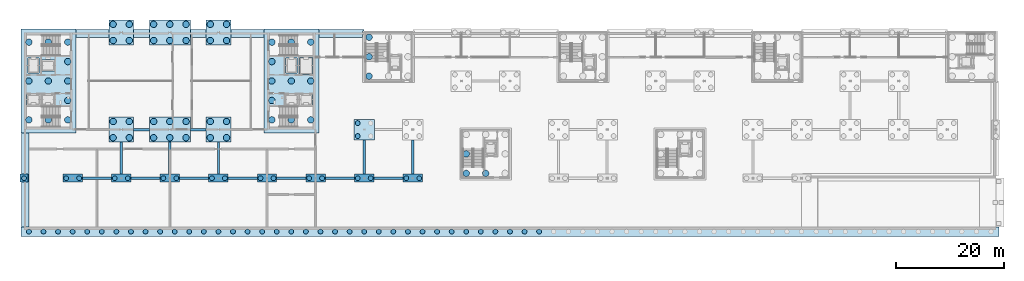
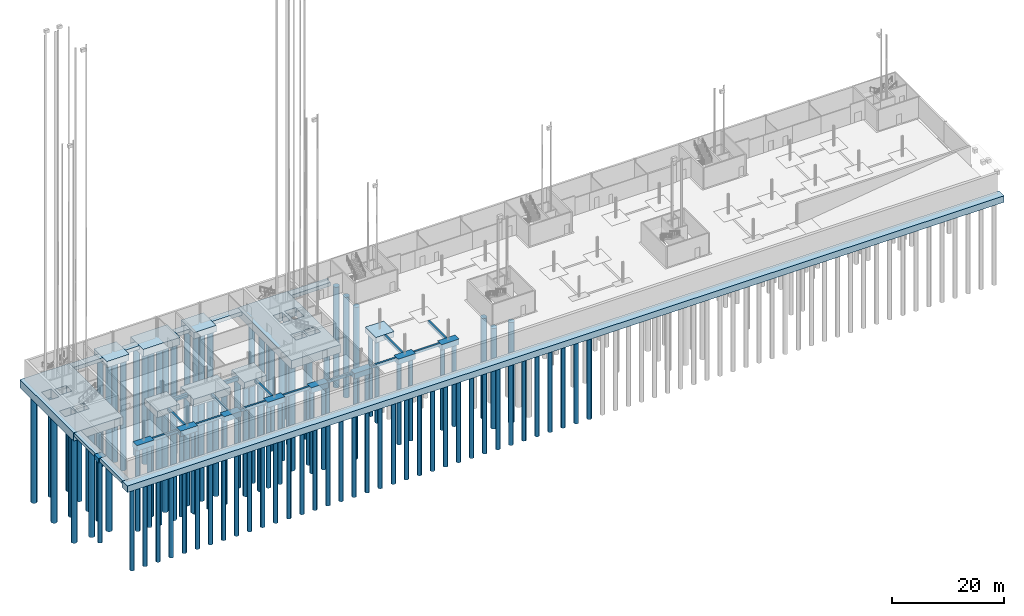
# One storey, part 1 of 41: 111 piles, 40 footings.
"""IFC4 building model written with IfcOpenShell, lengths in metres."""

from ifc_helpers import new_model, si_unit, direction, frame, origin, origin_2d, place, context, subcontext, project, spatial, polyline, rectangle, circle, outline, extrude, material, material_profile, profile_set, type_object, element, save


model = new_model("IFC4")

# Units and contexts
model_context = context("Model", 3, precision=1e-05, world=origin(), true_north=direction((0.0, 1.0)))
body_context = subcontext(model_context, "Body", "Model", "MODEL_VIEW")
ifc_project = project(units=[si_unit("LENGTHUNIT", "METRE"), si_unit("AREAUNIT", "SQUARE_METRE"), si_unit("VOLUMEUNIT", "CUBIC_METRE"), si_unit("PLANEANGLEUNIT", "RADIAN"), si_unit("MASSUNIT", "GRAM", prefix="KILO")], contexts=[model_context])

# Site, building, storey
site_placement = place(None, origin())
site = spatial("IfcSite", under=ifc_project, at=site_placement, CompositionType="ELEMENT")
building_placement = place(site_placement, origin())
building = spatial("IfcBuilding", under=site, at=building_placement, Name="Corbel Yard City Hall", CompositionType="ELEMENT")
storey_placement = place(building_placement, frame((0.0, 0.0, -4.5)))
storey = spatial("IfcBuildingStorey", under=building, at=storey_placement, Name="B1", CompositionType="ELEMENT", Elevation=-4.5)

# Piles
ifc_material = material(Name="Concrete N40 (40 MPa)", Category="concrete")
ifc_material_profile_1 = material_profile(ifc_material, circle(Radius=0.60009765625, at=origin_2d()), Name="D1200")
ifc_profile_set_1 = profile_set([ifc_material_profile_1], Name="Concrete N40 (40 MPa)")
pile_type_1 = type_object("IfcPileType", Name="Bored pile D1200", PredefinedType="BORED", material=ifc_profile_set_1)
for number, where, z_axis, x_axis, name in (
    (1, (16.5, 97.5, -1.300048828125), (0.0, 0.0, -1.0), (1.0, 0.0, 0.0), "Bored pile D1200 under cap PC7 L/3"),
    (2, (16.5, 100.5, -1.300048828125), (0.0, 0.0, -1.0), (1.0, 0.0, 0.0), "Bored pile D1200 under cap PC7 L/3"),
    (3, (19.5, 97.5, -1.300048828125), (0.0, 0.0, -1.0), (1.0, 0.0, 0.0), "Bored pile D1200 under cap PC7 L/3"),
    (4, (19.5, 100.5, -1.300048828125), (0.0, 0.0, -1.0), (1.0, 0.0, 0.0), "Bored pile D1200 under cap PC7 L/3"),
    (5, (16.5, 115.5, -1.300048828125), (0.0, 0.0, -1.0), (1.0, 0.0, 0.0), "Bored pile D1200 under cap PC7 N/3"),
    (6, (16.5, 118.5, -1.300048828125), (0.0, 0.0, -1.0), (1.0, 0.0, 0.0), "Bored pile D1200 under cap PC7 N/3"),
    (7, (19.5, 115.5, -1.300048828125), (0.0, 0.0, -1.0), (1.0, 0.0, 0.0), "Bored pile D1200 under cap PC7 N/3"),
    (8, (19.5, 118.5, -1.300048828125), (0.0, 0.0, -1.0), (1.0, 0.0, 0.0), "Bored pile D1200 under cap PC7 N/3"),
    (9, (24.0, 97.5, -1.5), (0.0, 0.0, -1.0), (1.0, 0.0, 0.0), "Bored pile D1200 under cap PC8 L/4"),
    (10, (24.0, 100.5, -1.5), (0.0, 0.0, -1.0), (1.0, 0.0, 0.0), "Bored pile D1200 under cap PC8 L/4"),
    (11, (27.0, 97.5, -1.5), (0.0, 0.0, -1.0), (1.0, 0.0, 0.0), "Bored pile D1200 under cap PC8 L/4"),
    (12, (27.0, 100.5, -1.5), (0.0, 0.0, -1.0), (1.0, 0.0, 0.0), "Bored pile D1200 under cap PC8 L/4"),
    (13, (30.0, 97.5, -1.5), (0.0, 0.0, -1.0), (1.0, 0.0, 0.0), "Bored pile D1200 under cap PC8 L/4"),
    (14, (30.0, 100.5, -1.5), (0.0, 0.0, -1.0), (1.0, 0.0, 0.0), "Bored pile D1200 under cap PC8 L/4"),
    (15, (24.0, 115.5, -1.5), (0.0, 0.0, -1.0), (1.0, 0.0, 0.0), "Bored pile D1200 under cap PC8 N/4"),
    (16, (24.0, 118.5, -1.5), (0.0, 0.0, -1.0), (1.0, 0.0, 0.0), "Bored pile D1200 under cap PC8 N/4"),
    (17, (27.0, 115.5, -1.5), (0.0, 0.0, -1.0), (1.0, 0.0, 0.0), "Bored pile D1200 under cap PC8 N/4"),
    (18, (27.0, 118.5, -1.5), (0.0, 0.0, -1.0), (1.0, 0.0, 0.0), "Bored pile D1200 under cap PC8 N/4"),
    (19, (30.0, 115.5, -1.5), (0.0, 0.0, -1.0), (1.0, 0.0, 0.0), "Bored pile D1200 under cap PC8 N/4"),
    (20, (30.0, 118.5, -1.5), (0.0, 0.0, -1.0), (1.0, 0.0, 0.0), "Bored pile D1200 under cap PC8 N/4"),
    (21, (34.5, 97.5, -1.300048828125), (0.0, 0.0, -1.0), (1.0, 0.0, 0.0), "Bored pile D1200 under cap PC7 L/5"),
    (22, (34.5, 100.5, -1.300048828125), (0.0, 0.0, -1.0), (1.0, 0.0, 0.0), "Bored pile D1200 under cap PC7 L/5"),
    (23, (37.5, 97.5, -1.300048828125), (0.0, 0.0, -1.0), (1.0, 0.0, 0.0), "Bored pile D1200 under cap PC7 L/5"),
    (24, (37.5, 100.5, -1.300048828125), (0.0, 0.0, -1.0), (1.0, 0.0, 0.0), "Bored pile D1200 under cap PC7 L/5"),
    (25, (34.5, 115.5, -1.300048828125), (0.0, 0.0, -1.0), (1.0, 0.0, 0.0), "Bored pile D1200 under cap PC7 N/5"),
    (26, (34.5, 118.5, -1.300048828125), (0.0, 0.0, -1.0), (1.0, 0.0, 0.0), "Bored pile D1200 under cap PC7 N/5"),
    (27, (37.5, 115.5, -1.300048828125), (0.0, 0.0, -1.0), (1.0, 0.0, 0.0), "Bored pile D1200 under cap PC7 N/5"),
    (28, (37.5, 118.5, -1.300048828125), (0.0, 0.0, -1.0), (1.0, 0.0, 0.0), "Bored pile D1200 under cap PC7 N/5"),
    (29, (0.89990234375, 100.800048828125, -1.699951171875), (0.0, 0.0, -1.0), (1.0, 0.0, 0.0), "Bored pile D1200 under trunk raft PC11"),
    (30, (0.89990234375, 108.0, -1.699951171875), (0.0, 0.0, -1.0), (1.0, 0.0, 0.0), "Bored pile D1200 under trunk raft PC11"),
    (31, (0.89990234375, 115.199951171875, -1.699951171875), (0.0, 0.0, -1.0), (1.0, 0.0, 0.0), "Bored pile D1200 under trunk raft PC11"),
    (32, (4.5, 100.800048828125, -1.699951171875), (0.0, 0.0, -1.0), (1.0, 0.0, 0.0), "Bored pile D1200 under trunk raft PC11"),
    (33, (4.5, 108.0, -1.699951171875), (0.0, 0.0, -1.0), (1.0, 0.0, 0.0), "Bored pile D1200 under trunk raft PC11"),
    (34, (4.5, 115.199951171875, -1.699951171875), (0.0, 0.0, -1.0), (1.0, 0.0, 0.0), "Bored pile D1200 under trunk raft PC11"),
    (35, (8.10009765625, 100.800048828125, -1.699951171875), (0.0, 0.0, -1.0), (1.0, 0.0, 0.0), "Bored pile D1200 under trunk raft PC11"),
    (36, (8.10009765625, 104.39990234375, -1.699951171875), (0.0, 0.0, -1.0), (1.0, 0.0, 0.0), "Bored pile D1200 under trunk raft PC11"),
    (37, (8.10009765625, 108.0, -1.699951171875), (0.0, 0.0, -1.0), (1.0, 0.0, 0.0), "Bored pile D1200 under trunk raft PC11"),
    (38, (8.10009765625, 111.60009765625, -1.699951171875), (0.0, 0.0, -1.0), (1.0, 0.0, 0.0), "Bored pile D1200 under trunk raft PC11"),
    (39, (8.10009765625, 115.199951171875, -1.699951171875), (0.0, 0.0, -1.0), (1.0, 0.0, 0.0), "Bored pile D1200 under trunk raft PC11"),
    (40, (45.89990234375, 100.800048828125, -1.699951171875), (0.0, 0.0, -1.0), (1.0, 0.0, 0.0), "Bored pile D1200 under trunk raft PC11"),
    (41, (45.89990234375, 104.39990234375, -1.699951171875), (0.0, 0.0, -1.0), (1.0, 0.0, 0.0), "Bored pile D1200 under trunk raft PC11"),
    (42, (45.89990234375, 108.0, -1.699951171875), (0.0, 0.0, -1.0), (1.0, 0.0, 0.0), "Bored pile D1200 under trunk raft PC11"),
    (43, (45.89990234375, 111.60009765625, -1.699951171875), (0.0, 0.0, -1.0), (1.0, 0.0, 0.0), "Bored pile D1200 under trunk raft PC11"),
    (44, (45.89990234375, 115.199951171875, -1.699951171875), (0.0, 0.0, -1.0), (1.0, 0.0, 0.0), "Bored pile D1200 under trunk raft PC11"),
    (45, (49.5, 100.800048828125, -1.699951171875), (0.0, 0.0, -1.0), (1.0, 0.0, 0.0), "Bored pile D1200 under trunk raft PC11"),
    (46, (49.5, 108.0, -1.699951171875), (0.0, 0.0, -1.0), (1.0, 0.0, 0.0), "Bored pile D1200 under trunk raft PC11"),
    (47, (49.5, 115.199951171875, -1.699951171875), (0.0, 0.0, -1.0), (1.0, 0.0, 0.0), "Bored pile D1200 under trunk raft PC11"),
    (48, (53.10009765625, 100.800048828125, -1.699951171875), (0.0, 0.0, -1.0), (1.0, 0.0, 0.0), "Bored pile D1200 under trunk raft PC11"),
    (49, (53.10009765625, 108.0, -1.699951171875), (0.0, 0.0, -1.0), (1.0, 0.0, 0.0), "Bored pile D1200 under trunk raft PC11"),
    (50, (53.10009765625, 115.199951171875, -1.699951171875), (0.0, 0.0, -1.0), (1.0, 0.0, 0.0), "Bored pile D1200 under trunk raft PC11"),
):
    element("IfcPile", number, at=place(storey_placement, frame(where, z_axis=z_axis, x_axis=x_axis)), inside=storey, type_object=pile_type_1, Name=name, PredefinedType="BORED", context=body_context, shape_type="SweptSolid", body=[
        extrude(circle(Radius=0.60009765625, at=origin_2d()), origin(), (0.0, 0.0, 1.0), 24.0),
    ])
for number, where, z_axis, x_axis, name in (
    (51, (63.89990234375, 108.89990234375, -1.10009765625), (0.0, 0.0, -1.0), (1.0, 0.0, 0.0), "Bored pile D1200 under core raft PC13"),
    (52, (63.89990234375, 112.5, -1.10009765625), (0.0, 0.0, -1.0), (1.0, 0.0, 0.0), "Bored pile D1200 under core raft PC13"),
    (53, (63.89990234375, 116.10009765625, -1.10009765625), (0.0, 0.0, -1.0), (1.0, 0.0, 0.0), "Bored pile D1200 under core raft PC13"),
    (54, (81.89990234375, 90.89990234375, -1.10009765625), (0.0, 0.0, -1.0), (1.0, 0.0, 0.0), "Bored pile D1200 under core raft PC13"),
    (55, (81.89990234375, 94.5, -1.10009765625), (0.0, 0.0, -1.0), (1.0, 0.0, 0.0), "Bored pile D1200 under core raft PC13"),
    (56, (85.5, 90.89990234375, -1.10009765625), (0.0, 0.0, -1.0), (1.0, 0.0, 0.0), "Bored pile D1200 under core raft PC13"),
):
    element("IfcPile", number, at=place(storey_placement, frame(where, z_axis=z_axis, x_axis=x_axis)), inside=storey, type_object=pile_type_1, Name=name, PredefinedType="BORED", context=body_context, shape_type="SweptSolid", body=[
        extrude(circle(Radius=0.60009765625, at=origin_2d()), origin(), (0.0, 0.0, 1.0), 22.0),
    ])
ifc_material_profile_2 = material_profile(ifc_material, circle(Radius=0.449951171875, at=origin_2d()), Name="D900")
ifc_profile_set_2 = profile_set([ifc_material_profile_2], Name="Concrete N40 (40 MPa)")
pile_type_2 = type_object("IfcPileType", Name="Bored pile D900", PredefinedType="BORED", material=ifc_profile_set_2)
for number, where, z_axis, x_axis, name in (
    (57, (0.0, 90.0, -0.89990234375), (0.0, 0.0, -1.0), (1.0, 0.0, 0.0), "Bored pile D900 under cap PC1 K/1"),
    (58, (7.800048828125, 90.0, -1.10009765625), (0.0, 0.0, -1.0), (1.0, 0.0, 0.0), "Bored pile D900 under cap PC4 K/2"),
    (59, (10.199951171875, 90.0, -1.10009765625), (0.0, 0.0, -1.0), (1.0, 0.0, 0.0), "Bored pile D900 under cap PC4 K/2"),
    (60, (16.800048828125, 90.0, -1.10009765625), (0.0, 0.0, -1.0), (1.0, 0.0, 0.0), "Bored pile D900 under cap PC4 K/3"),
    (61, (19.199951171875, 90.0, -1.10009765625), (0.0, 0.0, -1.0), (1.0, 0.0, 0.0), "Bored pile D900 under cap PC4 K/3"),
    (62, (25.800048828125, 90.0, -1.10009765625), (0.0, 0.0, -1.0), (1.0, 0.0, 0.0), "Bored pile D900 under cap PC4 K/4"),
    (63, (28.199951171875, 90.0, -1.10009765625), (0.0, 0.0, -1.0), (1.0, 0.0, 0.0), "Bored pile D900 under cap PC4 K/4"),
    (64, (34.800048828125, 90.0, -1.10009765625), (0.0, 0.0, -1.0), (1.0, 0.0, 0.0), "Bored pile D900 under cap PC4 K/5"),
    (65, (37.199951171875, 90.0, -1.10009765625), (0.0, 0.0, -1.0), (1.0, 0.0, 0.0), "Bored pile D900 under cap PC4 K/5"),
    (66, (43.800048828125, 90.0, -1.10009765625), (0.0, 0.0, -1.0), (1.0, 0.0, 0.0), "Bored pile D900 under cap PC4 K/6"),
    (67, (46.199951171875, 90.0, -1.10009765625), (0.0, 0.0, -1.0), (1.0, 0.0, 0.0), "Bored pile D900 under cap PC4 K/6"),
    (68, (52.800048828125, 90.0, -1.10009765625), (0.0, 0.0, -1.0), (1.0, 0.0, 0.0), "Bored pile D900 under cap PC4 K/7"),
    (69, (55.199951171875, 90.0, -1.10009765625), (0.0, 0.0, -1.0), (1.0, 0.0, 0.0), "Bored pile D900 under cap PC4 K/7"),
    (70, (61.800048828125, 90.0, -1.10009765625), (0.0, 0.0, -1.0), (1.0, 0.0, 0.0), "Bored pile D900 under cap PC4 K/8"),
    (71, (64.199951171875, 90.0, -1.10009765625), (0.0, 0.0, -1.0), (1.0, 0.0, 0.0), "Bored pile D900 under cap PC4 K/8"),
    (72, (61.800048828125, 97.800048828125, -1.10009765625), (0.0, 0.0, -1.0), (1.0, 0.0, 0.0), "Bored pile D900 under cap PC9 L/8"),
    (73, (61.800048828125, 100.199951171875, -1.10009765625), (0.0, 0.0, -1.0), (1.0, 0.0, 0.0), "Bored pile D900 under cap PC9 L/8"),
    (74, (70.800048828125, 90.0, -1.10009765625), (0.0, 0.0, -1.0), (1.0, 0.0, 0.0), "Bored pile D900 under cap PC4 K/9"),
    (75, (73.199951171875, 90.0, -1.10009765625), (0.0, 0.0, -1.0), (1.0, 0.0, 0.0), "Bored pile D900 under cap PC4 K/9"),
    (76, (0.89990234375, 80.10009765625, -1.300048828125), (0.0, 0.0, -1.0), (1.0, 0.0, 0.0), "Bored pile D900 under pile-cap strip PC14"),
    (77, (3.60009765625, 80.10009765625, -1.300048828125), (0.0, 0.0, -1.0), (1.0, 0.0, 0.0), "Bored pile D900 under pile-cap strip PC14"),
    (78, (6.300048828125, 80.10009765625, -1.300048828125), (0.0, 0.0, -1.0), (1.0, 0.0, 0.0), "Bored pile D900 under pile-cap strip PC14"),
    (79, (9.0, 80.10009765625, -1.300048828125), (0.0, 0.0, -1.0), (1.0, 0.0, 0.0), "Bored pile D900 under pile-cap strip PC14"),
    (80, (11.699951171875, 80.10009765625, -1.300048828125), (0.0, 0.0, -1.0), (1.0, 0.0, 0.0), "Bored pile D900 under pile-cap strip PC14"),
    (81, (14.39990234375, 80.10009765625, -1.300048828125), (0.0, 0.0, -1.0), (1.0, 0.0, 0.0), "Bored pile D900 under pile-cap strip PC14"),
    (82, (17.10009765625, 80.10009765625, -1.300048828125), (0.0, 0.0, -1.0), (1.0, 0.0, 0.0), "Bored pile D900 under pile-cap strip PC14"),
    (83, (19.800048828125, 80.10009765625, -1.300048828125), (0.0, 0.0, -1.0), (1.0, 0.0, 0.0), "Bored pile D900 under pile-cap strip PC14"),
    (84, (22.5, 80.10009765625, -1.300048828125), (0.0, 0.0, -1.0), (1.0, 0.0, 0.0), "Bored pile D900 under pile-cap strip PC14"),
    (85, (25.199951171875, 80.10009765625, -1.300048828125), (0.0, 0.0, -1.0), (1.0, 0.0, 0.0), "Bored pile D900 under pile-cap strip PC14"),
    (86, (27.89990234375, 80.10009765625, -1.300048828125), (0.0, 0.0, -1.0), (1.0, 0.0, 0.0), "Bored pile D900 under pile-cap strip PC14"),
    (87, (30.60009765625, 80.10009765625, -1.300048828125), (0.0, 0.0, -1.0), (1.0, 0.0, 0.0), "Bored pile D900 under pile-cap strip PC14"),
    (88, (33.300048828125, 80.10009765625, -1.300048828125), (0.0, 0.0, -1.0), (1.0, 0.0, 0.0), "Bored pile D900 under pile-cap strip PC14"),
    (89, (36.0, 80.10009765625, -1.300048828125), (0.0, 0.0, -1.0), (1.0, 0.0, 0.0), "Bored pile D900 under pile-cap strip PC14"),
    (90, (38.699951171875, 80.10009765625, -1.300048828125), (0.0, 0.0, -1.0), (1.0, 0.0, 0.0), "Bored pile D900 under pile-cap strip PC14"),
    (91, (41.39990234375, 80.10009765625, -1.300048828125), (0.0, 0.0, -1.0), (1.0, 0.0, 0.0), "Bored pile D900 under pile-cap strip PC14"),
    (92, (44.10009765625, 80.10009765625, -1.300048828125), (0.0, 0.0, -1.0), (1.0, 0.0, 0.0), "Bored pile D900 under pile-cap strip PC14"),
    (93, (46.800048828125, 80.10009765625, -1.300048828125), (0.0, 0.0, -1.0), (1.0, 0.0, 0.0), "Bored pile D900 under pile-cap strip PC14"),
    (94, (49.5, 80.10009765625, -1.300048828125), (0.0, 0.0, -1.0), (1.0, 0.0, 0.0), "Bored pile D900 under pile-cap strip PC14"),
    (95, (52.199951171875, 80.10009765625, -1.300048828125), (0.0, 0.0, -1.0), (1.0, 0.0, 0.0), "Bored pile D900 under pile-cap strip PC14"),
    (96, (54.89990234375, 80.10009765625, -1.300048828125), (0.0, 0.0, -1.0), (1.0, 0.0, 0.0), "Bored pile D900 under pile-cap strip PC14"),
    (97, (57.60009765625, 80.10009765625, -1.300048828125), (0.0, 0.0, -1.0), (1.0, 0.0, 0.0), "Bored pile D900 under pile-cap strip PC14"),
    (98, (60.300048828125, 80.10009765625, -1.300048828125), (0.0, 0.0, -1.0), (1.0, 0.0, 0.0), "Bored pile D900 under pile-cap strip PC14"),
    (99, (63.0, 80.10009765625, -1.300048828125), (0.0, 0.0, -1.0), (1.0, 0.0, 0.0), "Bored pile D900 under pile-cap strip PC14"),
    (100, (65.699951171875, 80.10009765625, -1.300048828125), (0.0, 0.0, -1.0), (1.0, 0.0, 0.0), "Bored pile D900 under pile-cap strip PC14"),
    (101, (68.39990234375, 80.10009765625, -1.300048828125), (0.0, 0.0, -1.0), (1.0, 0.0, 0.0), "Bored pile D900 under pile-cap strip PC14"),
    (102, (71.10009765625, 80.10009765625, -1.300048828125), (0.0, 0.0, -1.0), (1.0, 0.0, 0.0), "Bored pile D900 under pile-cap strip PC14"),
    (103, (73.800048828125, 80.10009765625, -1.300048828125), (0.0, 0.0, -1.0), (1.0, 0.0, 0.0), "Bored pile D900 under pile-cap strip PC14"),
    (104, (76.5, 80.10009765625, -1.300048828125), (0.0, 0.0, -1.0), (1.0, 0.0, 0.0), "Bored pile D900 under pile-cap strip PC14"),
    (105, (79.199951171875, 80.10009765625, -1.300048828125), (0.0, 0.0, -1.0), (1.0, 0.0, 0.0), "Bored pile D900 under pile-cap strip PC14"),
    (106, (81.89990234375, 80.10009765625, -1.300048828125), (0.0, 0.0, -1.0), (1.0, 0.0, 0.0), "Bored pile D900 under pile-cap strip PC14"),
    (107, (84.60009765625, 80.10009765625, -1.300048828125), (0.0, 0.0, -1.0), (1.0, 0.0, 0.0), "Bored pile D900 under pile-cap strip PC14"),
    (108, (87.300048828125, 80.10009765625, -1.300048828125), (0.0, 0.0, -1.0), (1.0, 0.0, 0.0), "Bored pile D900 under pile-cap strip PC14"),
    (109, (90.0, 80.10009765625, -1.300048828125), (0.0, 0.0, -1.0), (1.0, 0.0, 0.0), "Bored pile D900 under pile-cap strip PC14"),
    (110, (92.699951171875, 80.10009765625, -1.300048828125), (0.0, 0.0, -1.0), (1.0, 0.0, 0.0), "Bored pile D900 under pile-cap strip PC14"),
    (111, (95.39990234375, 80.10009765625, -1.300048828125), (0.0, 0.0, -1.0), (1.0, 0.0, 0.0), "Bored pile D900 under pile-cap strip PC14"),
):
    element("IfcPile", number, at=place(storey_placement, frame(where, z_axis=z_axis, x_axis=x_axis)), inside=storey, type_object=pile_type_2, Name=name, PredefinedType="BORED", context=body_context, shape_type="SweptSolid", body=[
        extrude(circle(Radius=0.449951171875, at=origin_2d()), origin(), (0.0, 0.0, 1.0), 18.0),
    ])

# Footings
footing_type_1 = type_object("IfcFootingType", Name="Ground beam 400 x 600", PredefinedType="FOOTING_BEAM", material=ifc_material)
for number, where, z_axis, x_axis, name in (
    (112, (13.5, 90.0, -0.60009765625), (0.0, 0.0, 1.0), (1.0, 0.0, 0.0), "Ground beam 400 x 600 K/2-K/3"),
    (113, (22.5, 90.0, -0.60009765625), (0.0, 0.0, 1.0), (1.0, 0.0, 0.0), "Ground beam 400 x 600 K/3-K/4"),
):
    element("IfcFooting", number, at=place(storey_placement, frame(where, z_axis=z_axis, x_axis=x_axis)), inside=storey, type_object=footing_type_1, Name=name, PredefinedType="FOOTING_BEAM", context=body_context, shape_type="SweptSolid", body=[
        extrude(rectangle(XDim=5.39990234375, YDim=0.39990234375, at=origin_2d()), origin(), (0.0, 0.0, 1.0), 0.60009765625),
    ])
footing_1_placement = place(storey_placement, frame((18.0, 93.72509765625, -0.60009765625), z_axis=(0.0, 0.0, 1.0), x_axis=(1.0, 0.0, 0.0)))
element("IfcFooting", 114, at=footing_1_placement, inside=storey, type_object=footing_type_1, Name="Ground beam 400 x 600 K/3-L/3", PredefinedType="FOOTING_BEAM", context=body_context, shape_type="SweptSolid", body=[
    extrude(rectangle(XDim=0.39990234375, YDim=5.949951171875, at=origin_2d()), origin(), (0.0, 0.0, 1.0), 0.60009765625),
])
footing_2_placement = place(storey_placement, frame((31.5, 90.0, -0.60009765625), z_axis=(0.0, 0.0, 1.0), x_axis=(1.0, 0.0, 0.0)))
element("IfcFooting", 115, at=footing_2_placement, inside=storey, type_object=footing_type_1, Name="Ground beam 400 x 600 K/4-K/5", PredefinedType="FOOTING_BEAM", context=body_context, shape_type="SweptSolid", body=[
    extrude(rectangle(XDim=5.39990234375, YDim=0.39990234375, at=origin_2d()), origin(), (0.0, 0.0, 1.0), 0.60009765625),
])
footing_3_placement = place(storey_placement, frame((27.0, 93.72509765625, -0.60009765625), z_axis=(0.0, 0.0, 1.0), x_axis=(1.0, 0.0, 0.0)))
element("IfcFooting", 116, at=footing_3_placement, inside=storey, type_object=footing_type_1, Name="Ground beam 400 x 600 K/4-L/4", PredefinedType="FOOTING_BEAM", context=body_context, shape_type="SweptSolid", body=[
    extrude(rectangle(XDim=0.39990234375, YDim=5.949951171875, at=origin_2d()), origin(), (0.0, 0.0, 1.0), 0.60009765625),
])
footing_4_placement = place(storey_placement, frame((40.5, 90.0, -0.60009765625), z_axis=(0.0, 0.0, 1.0), x_axis=(1.0, 0.0, 0.0)))
element("IfcFooting", 117, at=footing_4_placement, inside=storey, type_object=footing_type_1, Name="Ground beam 400 x 600 K/5-K/6", PredefinedType="FOOTING_BEAM", context=body_context, shape_type="SweptSolid", body=[
    extrude(rectangle(XDim=5.39990234375, YDim=0.39990234375, at=origin_2d()), origin(), (0.0, 0.0, 1.0), 0.60009765625),
])
footing_5_placement = place(storey_placement, frame((36.0, 93.72509765625, -0.60009765625), z_axis=(0.0, 0.0, 1.0), x_axis=(1.0, 0.0, 0.0)))
element("IfcFooting", 118, at=footing_5_placement, inside=storey, type_object=footing_type_1, Name="Ground beam 400 x 600 K/5-L/5", PredefinedType="FOOTING_BEAM", context=body_context, shape_type="SweptSolid", body=[
    extrude(rectangle(XDim=0.39990234375, YDim=5.949951171875, at=origin_2d()), origin(), (0.0, 0.0, 1.0), 0.60009765625),
])
for number, where, z_axis, x_axis, name in (
    (119, (49.5, 90.0, -0.60009765625), (0.0, 0.0, 1.0), (1.0, 0.0, 0.0), "Ground beam 400 x 600 K/6-K/7"),
    (120, (58.5, 90.0, -0.60009765625), (0.0, 0.0, 1.0), (1.0, 0.0, 0.0), "Ground beam 400 x 600 K/7-K/8"),
    (121, (67.5, 90.0, -0.60009765625), (0.0, 0.0, 1.0), (1.0, 0.0, 0.0), "Ground beam 400 x 600 K/8-K/9"),
):
    element("IfcFooting", number, at=place(storey_placement, frame(where, z_axis=z_axis, x_axis=x_axis)), inside=storey, type_object=footing_type_1, Name=name, PredefinedType="FOOTING_BEAM", context=body_context, shape_type="SweptSolid", body=[
        extrude(rectangle(XDim=5.39990234375, YDim=0.39990234375, at=origin_2d()), origin(), (0.0, 0.0, 1.0), 0.60009765625),
    ])
for number, where, z_axis, x_axis, name in (
    (122, (63.0, 93.925048828125, -0.60009765625), (0.0, 0.0, 1.0), (1.0, 0.0, 0.0), "Ground beam 400 x 600 K/8-L/8"),
    (123, (72.0, 93.925048828125, -0.60009765625), (0.0, 0.0, 1.0), (1.0, 0.0, 0.0), "Ground beam 400 x 600 K/9-L/9"),
):
    element("IfcFooting", number, at=place(storey_placement, frame(where, z_axis=z_axis, x_axis=x_axis)), inside=storey, type_object=footing_type_1, Name=name, PredefinedType="FOOTING_BEAM", context=body_context, shape_type="SweptSolid", body=[
        extrude(rectangle(XDim=0.39990234375, YDim=6.35009765625, at=origin_2d()), origin(), (0.0, 0.0, 1.0), 0.60009765625),
    ])
footing_type_2 = type_object("IfcFootingType", Name="Ground beam 500 x 800", PredefinedType="FOOTING_BEAM", material=ifc_material)
for number, where, z_axis, x_axis, name in (
    (124, (21.75, 99.0, -0.7998046875), (0.0, 0.0, 1.0), (1.0, 0.0, 0.0), "Ground beam 500 x 800 L/3-L/4"),
    (125, (32.25, 99.0, -0.7998046875), (0.0, 0.0, 1.0), (1.0, 0.0, 0.0), "Ground beam 500 x 800 L/4-L/5"),
):
    element("IfcFooting", number, at=place(storey_placement, frame(where, z_axis=z_axis, x_axis=x_axis)), inside=storey, type_object=footing_type_2, Name=name, PredefinedType="FOOTING_BEAM", context=body_context, shape_type="SweptSolid", body=[
        extrude(rectangle(XDim=2.89990234375, YDim=0.5, at=origin_2d()), origin(), (0.0, 0.0, 1.0), 0.800048828125),
    ])
footing_type_3 = type_object("IfcFootingType", Name="Pile cap (basement column) 3.8 x 3.8 x 1.2", PredefinedType="PILE_CAP", material=ifc_material)
footing_6_placement = place(storey_placement, frame((63.0, 99.0, -1.2001953125), z_axis=(0.0, 0.0, 1.0), x_axis=(1.0, 0.0, 0.0)))
element("IfcFooting", 126, at=footing_6_placement, inside=storey, type_object=footing_type_3, Name="Pile cap PC9 L/8", PredefinedType="PILE_CAP", context=body_context, shape_type="SweptSolid", body=[
    extrude(rectangle(XDim=3.800048828125, YDim=3.800048828125, at=origin_2d()), origin(), (0.0, 0.0, 1.0), 1.199951171875),
])
footing_type_4 = type_object("IfcFootingType", Name="Pile cap (corner column) 1.5 x 1.5 x 1", PredefinedType="PILE_CAP", material=ifc_material)
footing_7_placement = place(storey_placement, frame((0.0, 90.0, -1.0), z_axis=(0.0, 0.0, 1.0), x_axis=(1.0, 0.0, 0.0)))
element("IfcFooting", 127, at=footing_7_placement, inside=storey, type_object=footing_type_4, Name="Pile cap PC1 K/1", PredefinedType="PILE_CAP", context=body_context, shape_type="SweptSolid", body=[
    extrude(rectangle(XDim=1.5, YDim=1.5, at=origin_2d()), origin(), (0.0, 0.0, 1.0), 1.0),
])
footing_type_5 = type_object("IfcFootingType", Name="Pile cap (edge column, two piles) 3.6 x 1.5 x 1.2", PredefinedType="PILE_CAP", material=ifc_material)
for number, where, z_axis, x_axis, name in (
    (128, (9.0, 90.0, -1.2001953125), (0.0, 0.0, 1.0), (1.0, 0.0, 0.0), "Pile cap PC4 K/2"),
    (129, (18.0, 90.0, -1.2001953125), (0.0, 0.0, 1.0), (1.0, 0.0, 0.0), "Pile cap PC4 K/3"),
    (130, (27.0, 90.0, -1.2001953125), (0.0, 0.0, 1.0), (1.0, 0.0, 0.0), "Pile cap PC4 K/4"),
    (131, (36.0, 90.0, -1.2001953125), (0.0, 0.0, 1.0), (1.0, 0.0, 0.0), "Pile cap PC4 K/5"),
    (132, (45.0, 90.0, -1.2001953125), (0.0, 0.0, 1.0), (1.0, 0.0, 0.0), "Pile cap PC4 K/6"),
    (133, (54.0, 90.0, -1.2001953125), (0.0, 0.0, 1.0), (1.0, 0.0, 0.0), "Pile cap PC4 K/7"),
    (134, (63.0, 90.0, -1.2001953125), (0.0, 0.0, 1.0), (1.0, 0.0, 0.0), "Pile cap PC4 K/8"),
    (135, (72.0, 90.0, -1.2001953125), (0.0, 0.0, 1.0), (1.0, 0.0, 0.0), "Pile cap PC4 K/9"),
):
    element("IfcFooting", number, at=place(storey_placement, frame(where, z_axis=z_axis, x_axis=x_axis)), inside=storey, type_object=footing_type_5, Name=name, PredefinedType="PILE_CAP", context=body_context, shape_type="SweptSolid", body=[
        extrude(rectangle(XDim=3.60009765625, YDim=1.5, at=origin_2d()), origin(), (0.0, 0.0, 1.0), 1.199951171875),
    ])
footing_type_6 = type_object("IfcFootingType", Name="Pile cap (tower corner) 4.6 x 4.6 x 1.4", PredefinedType="PILE_CAP", material=ifc_material)
for number, where, z_axis, x_axis, name in (
    (136, (18.0, 99.0, -1.39990234375), (0.0, 0.0, 1.0), (1.0, 0.0, 0.0), "Pile cap PC7 L/3"),
    (137, (18.0, 117.0, -1.39990234375), (0.0, 0.0, 1.0), (1.0, 0.0, 0.0), "Pile cap PC7 N/3"),
    (138, (36.0, 99.0, -1.39990234375), (0.0, 0.0, 1.0), (1.0, 0.0, 0.0), "Pile cap PC7 L/5"),
    (139, (36.0, 117.0, -1.39990234375), (0.0, 0.0, 1.0), (1.0, 0.0, 0.0), "Pile cap PC7 N/5"),
):
    element("IfcFooting", number, at=place(storey_placement, frame(where, z_axis=z_axis, x_axis=x_axis)), inside=storey, type_object=footing_type_6, Name=name, PredefinedType="PILE_CAP", context=body_context, shape_type="SweptSolid", body=[
        extrude(rectangle(XDim=4.60009765625, YDim=4.60009765625, at=origin_2d()), origin(), (0.0, 0.0, 1.0), 1.39990234375),
    ])
footing_type_7 = type_object("IfcFootingType", Name="Pile cap (tower, six piles) 7.6 x 4.6 x 1.6", PredefinedType="PILE_CAP", material=ifc_material)
for number, where, z_axis, x_axis, name in (
    (140, (27.0, 99.0, -1.60009765625), (0.0, 0.0, 1.0), (1.0, 0.0, 0.0), "Pile cap PC8 L/4"),
    (141, (27.0, 117.0, -1.60009765625), (0.0, 0.0, 1.0), (1.0, 0.0, 0.0), "Pile cap PC8 N/4"),
):
    element("IfcFooting", number, at=place(storey_placement, frame(where, z_axis=z_axis, x_axis=x_axis)), inside=storey, type_object=footing_type_7, Name=name, PredefinedType="PILE_CAP", context=body_context, shape_type="SweptSolid", body=[
        extrude(rectangle(XDim=7.60009765625, YDim=4.60009765625, at=origin_2d()), origin(), (0.0, 0.0, 1.0), 1.60009765625),
    ])
footing_type_8 = type_object("IfcFootingType", Name="Pile-cap strip", PredefinedType="PILE_CAP", material=ifc_material)
footing_8_placement = place(storey_placement, frame((0.0, 0.0, -1.39990234375)))
element("IfcFooting", 142, at=footing_8_placement, inside=storey, type_object=footing_type_8, Name="Pile-cap strip PC14 y=81 wall", PredefinedType="PILE_CAP", context=body_context, shape_type="SweptSolid", body=[
    extrude(outline(polyline([(180.60009765625, 79.199951171875), (180.60009765625, 81.0), (-0.60009765625, 81.0), (-0.60009765625, 79.199951171875), (180.60009765625, 79.199951171875)])), origin(), (0.0, 0.0, 1.0), 1.39990234375),
])
footing_type_9 = type_object("IfcFootingType", Name="Strip footing", PredefinedType="PILE_CAP", material=ifc_material)
footing_9_placement = place(storey_placement, frame((0.0, 0.0, -0.800048828125)))
element("IfcFooting", 143, at=footing_9_placement, inside=storey, type_object=footing_type_9, Name="Strip footing PC15 1", PredefinedType="PILE_CAP", context=body_context, shape_type="SweptSolid", body=[
    extrude(outline(polyline([(-0.5, 89.25), (-0.5, 81.0), (0.89990234375, 81.0), (0.89990234375, 89.9921875), (0.75, 89.9921875), (0.75, 89.25), (-0.5, 89.25)])), origin(), (0.0, 0.0, 1.0), 0.800048828125),
])
footing_10_placement = place(storey_placement, frame((0.0, 0.0, -0.800048828125)))
element("IfcFooting", 144, at=footing_10_placement, inside=storey, type_object=footing_type_9, Name="Strip footing PC15 3", PredefinedType="PILE_CAP", context=body_context, shape_type="SweptSolid", body=[
    extrude(outline(polyline([(0.75, 90.75), (0.75, 90.0078125), (0.89990234375, 90.0078125), (0.89990234375, 98.39990234375), (-0.5, 98.39990234375), (-0.5, 90.75), (0.75, 90.75)])), origin(), (0.0, 0.0, 1.0), 0.800048828125),
])
footing_11_placement = place(storey_placement, frame((0.0, 0.0, -0.800048828125)))
element("IfcFooting", 145, at=footing_11_placement, inside=storey, type_object=footing_type_9, Name="Strip footing PC15 5", PredefinedType="PILE_CAP", context=body_context, shape_type="SweptSolid", body=[
    extrude(outline(polyline([(15.699951171875, 117.5), (9.60009765625, 117.5), (9.60009765625, 116.10009765625), (15.699951171875, 116.10009765625), (15.699951171875, 117.5)])), origin(), (0.0, 0.0, 1.0), 0.800048828125),
])
footing_12_placement = place(storey_placement, frame((0.0, 0.0, -0.800048828125)))
element("IfcFooting", 146, at=footing_12_placement, inside=storey, type_object=footing_type_9, Name="Strip footing PC15 6", PredefinedType="PILE_CAP", context=body_context, shape_type="SweptSolid", body=[
    extrude(outline(polyline([(23.199951171875, 117.5), (20.300048828125, 117.5), (20.300048828125, 116.10009765625), (23.199951171875, 116.10009765625), (23.199951171875, 117.5)])), origin(), (0.0, 0.0, 1.0), 0.800048828125),
])
footing_13_placement = place(storey_placement, frame((0.0, 0.0, -0.800048828125)))
element("IfcFooting", 147, at=footing_13_placement, inside=storey, type_object=footing_type_9, Name="Strip footing PC15 7", PredefinedType="PILE_CAP", context=body_context, shape_type="SweptSolid", body=[
    extrude(outline(polyline([(30.800048828125, 117.5), (30.800048828125, 116.10009765625), (33.699951171875, 116.10009765625), (33.699951171875, 117.5), (30.800048828125, 117.5)])), origin(), (0.0, 0.0, 1.0), 0.800048828125),
])
footing_14_placement = place(storey_placement, frame((0.0, 0.0, -0.800048828125)))
element("IfcFooting", 148, at=footing_14_placement, inside=storey, type_object=footing_type_9, Name="Strip footing PC15 8", PredefinedType="PILE_CAP", context=body_context, shape_type="SweptSolid", body=[
    extrude(outline(polyline([(38.300048828125, 117.5), (38.300048828125, 116.10009765625), (44.39990234375, 116.10009765625), (44.39990234375, 117.5), (38.300048828125, 117.5)])), origin(), (0.0, 0.0, 1.0), 0.800048828125),
])
footing_15_placement = place(storey_placement, frame((0.0, 0.0, -0.800048828125)))
element("IfcFooting", 149, at=footing_15_placement, inside=storey, type_object=footing_type_9, Name="Strip footing PC15 9", PredefinedType="PILE_CAP", context=body_context, shape_type="SweptSolid", body=[
    extrude(outline(polyline([(63.0, 117.300048828125), (63.0, 117.5), (54.60009765625, 117.5), (54.60009765625, 116.10009765625), (62.699951171875, 116.10009765625), (62.699951171875, 117.300048828125), (63.0, 117.300048828125)])), origin(), (0.0, 0.0, 1.0), 0.800048828125),
])
footing_type_10 = type_object("IfcFootingType", Name="Trunk raft 10.2 x 10.2 x 1.8", PredefinedType="PILE_CAP", material=ifc_material)
footing_16_placement = place(storey_placement, frame((0.0, 0.0, -1.800048828125)))
element("IfcFooting", 150, at=footing_16_placement, inside=storey, type_object=footing_type_10, Name="Trunk raft PC11 TR-W", PredefinedType="PILE_CAP", context=body_context, shape_type="SweptSolid", body=[
    extrude(outline(polyline([(9.60009765625, 98.39990234375), (9.60009765625, 117.60009765625), (-0.60009765625, 117.60009765625), (-0.60009765625, 98.39990234375), (9.60009765625, 98.39990234375)]), holes=[polyline([(3.25, 103.550048828125), (3.25, 105.550048828125), (5.64990234375, 105.550048828125), (5.64990234375, 103.550048828125), (3.25, 103.550048828125)]), polyline([(0.550048828125, 103.550048828125), (0.550048828125, 105.550048828125), (2.949951171875, 105.550048828125), (2.949951171875, 103.550048828125), (0.550048828125, 103.550048828125)]), polyline([(3.25, 109.85009765625), (3.25, 111.85009765625), (5.64990234375, 111.85009765625), (5.64990234375, 109.85009765625), (3.25, 109.85009765625)]), polyline([(0.75, 109.449951171875), (0.75, 112.25), (2.75, 112.25), (2.75, 109.449951171875), (0.75, 109.449951171875)])]), origin(), (0.0, 0.0, 1.0), 1.800048828125),
])
footing_17_placement = place(storey_placement, frame((0.0, 0.0, -1.800048828125)))
element("IfcFooting", 151, at=footing_17_placement, inside=storey, type_object=footing_type_10, Name="Trunk raft PC11 TR-E", PredefinedType="PILE_CAP", context=body_context, shape_type="SweptSolid", body=[
    extrude(outline(polyline([(54.60009765625, 98.39990234375), (54.60009765625, 117.60009765625), (44.39990234375, 117.60009765625), (44.39990234375, 98.39990234375), (54.60009765625, 98.39990234375)]), holes=[polyline([(48.35009765625, 103.550048828125), (48.35009765625, 105.550048828125), (50.75, 105.550048828125), (50.75, 103.550048828125), (48.35009765625, 103.550048828125)]), polyline([(51.050048828125, 103.550048828125), (51.050048828125, 105.550048828125), (53.449951171875, 105.550048828125), (53.449951171875, 103.550048828125), (51.050048828125, 103.550048828125)]), polyline([(48.550048828125, 109.449951171875), (48.550048828125, 112.25), (50.550048828125, 112.25), (50.550048828125, 109.449951171875), (48.550048828125, 109.449951171875)]), polyline([(51.10009765625, 109.300048828125), (51.10009765625, 112.39990234375), (53.39990234375, 112.39990234375), (53.39990234375, 109.300048828125), (51.10009765625, 109.300048828125)])]), origin(), (0.0, 0.0, 1.0), 1.800048828125),
])

save(model, "model.ifc")
